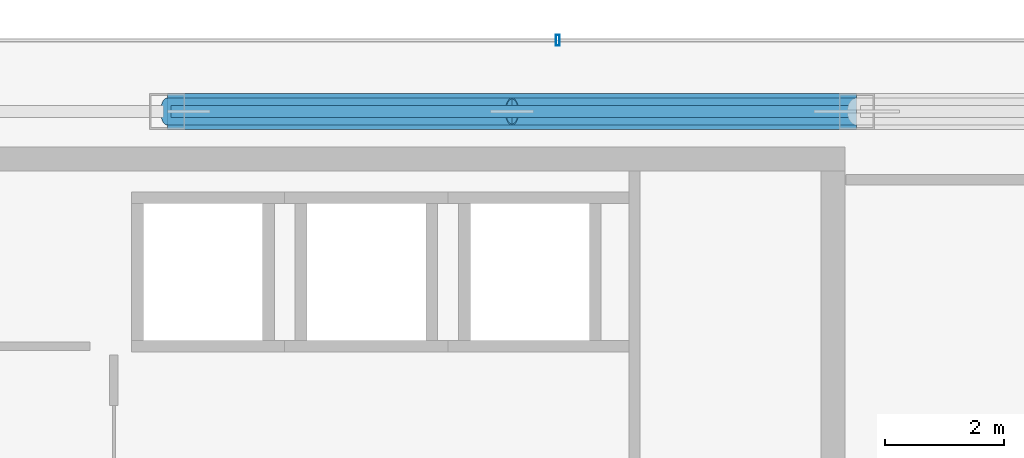
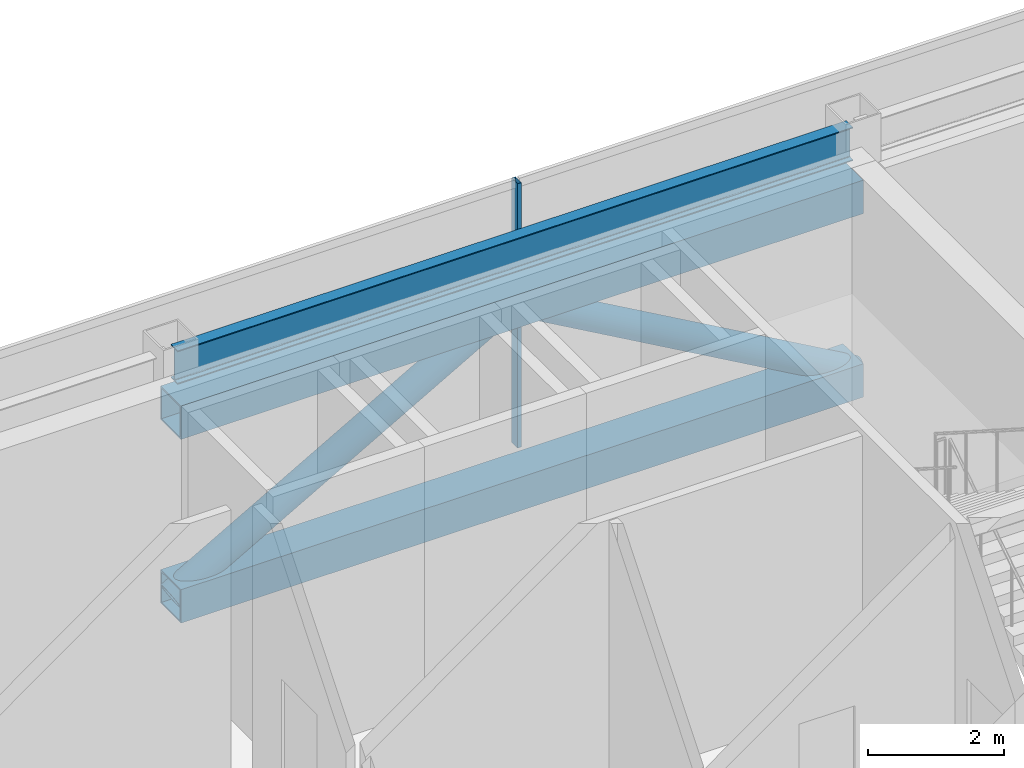
# One storey, part 13 of 20: 5 members, 1 beam, 1 element without a shape of its own.
"""IFC4 building model written with IfcOpenShell, lengths in metres."""

from ifc_helpers import new_model, si_unit, direction, frame, origin, origin_2d, place, context, subcontext, project, spatial, hollow_rectangle, hollow_circle, i_section, extrude, material, material_profile, profile_set, type_object, element, aggregate, save


model = new_model("IFC4")

# Units and contexts
model_context = context("Model", 3, precision=1e-05, world=origin(), true_north=direction((0.0, 1.0)))
body_context = subcontext(model_context, "Body", "Model", "MODEL_VIEW")
ifc_project = project(units=[si_unit("LENGTHUNIT", "METRE"), si_unit("AREAUNIT", "SQUARE_METRE"), si_unit("VOLUMEUNIT", "CUBIC_METRE"), si_unit("PLANEANGLEUNIT", "RADIAN"), si_unit("MASSUNIT", "GRAM", prefix="KILO")], contexts=[model_context])

# Site, building, storey
site_placement = place(None, origin())
site = spatial("IfcSite", under=ifc_project, at=site_placement, CompositionType="ELEMENT")
building_placement = place(site_placement, origin())
building = spatial("IfcBuilding", under=site, at=building_placement, Name="Saevonmaru Cultural Tower", CompositionType="ELEMENT")
storey_placement = place(building_placement, frame((0.0, 0.0, 314.199951171875)))
storey = spatial("IfcBuildingStorey", under=building, at=storey_placement, Name="L75", CompositionType="ELEMENT", Elevation=314.199951171875)

# Beam
ifc_material_1 = material(Name="Steel SM355", Category="steel")
ifc_material_profile_1 = material_profile(ifc_material_1, i_section(OverallWidth=0.199951171875, OverallDepth=0.60009765625, WebThickness=0.010986328125, FlangeThickness=0.01708984375, FilletRadius=0.02197265625, at=origin_2d()), Name="H-600x200x11x17")
ifc_profile_set_1 = profile_set([ifc_material_profile_1], Name="Steel SM355")
beam_type = type_object("IfcBeamType", Name="BM-SP-H600", PredefinedType="SPANDREL", material=ifc_profile_set_1)
beam_placement = place(storey_placement, frame((34.860107421875, 54.800048828125, 4.449951171875), z_axis=(1.0, 0.0, 0.0), x_axis=(0.0, 1.0, 0.0)))
element("IfcBeam", 1, at=beam_placement, inside=storey, type_object=beam_type, Name="L75 North Spine Girder 4", PredefinedType="SPANDREL", context=body_context, shape_type="SweptSolid", body=[
    extrude(i_section(OverallWidth=0.199951171875, OverallDepth=0.60009765625, WebThickness=0.010986328125, FlangeThickness=0.01708984375, FilletRadius=0.02197265625, at=origin_2d()), origin(), (0.0, 0.0, 1.0), 11.47998046875),
])

# Members
ifc_material_2 = material(Name="Steel SM420", Category="steel")
ifc_material_profile_2 = material_profile(ifc_material_2, hollow_circle(Radius=0.228515625, WallThickness=0.02001953125, at=origin_2d()), Name="CHS-457.2x20")
ifc_profile_set_2 = profile_set([ifc_material_profile_2], Name="Steel SM420")
member_type_1 = type_object("IfcMemberType", Name="MB-OBR-CHS457", PredefinedType="BRACE", material=ifc_profile_set_2)
member_1_placement = place(storey_placement, frame((34.800048828125, 54.800048828125, 0.300048828125), z_axis=(0.869162476392, 0.0, 0.494526631873), x_axis=(0.0, 1.0, 0.0)))
element("IfcMember", 2, at=member_1_placement, inside=storey, type_object=member_type_1, Name="L75 Outrigger Truss Diagonal OE1-1", PredefinedType="BRACE", context=body_context, shape_type="SweptSolid", body=[
    extrude(hollow_circle(Radius=0.228515625, WallThickness=0.02001953125, at=origin_2d()), origin(), (0.0, 0.0, 1.0), 6.673095703125),
])
member_2_placement = place(storey_placement, frame((46.39990234375, 54.800048828125, 0.300048828125), z_axis=(-0.869153528733, 0.0, 0.494542357631), x_axis=(0.0, -1.0, 0.0)))
element("IfcMember", 3, at=member_2_placement, inside=storey, type_object=member_type_1, Name="L75 Outrigger Truss Diagonal OE1-2", PredefinedType="BRACE", context=body_context, shape_type="SweptSolid", body=[
    extrude(hollow_circle(Radius=0.228515625, WallThickness=0.02001953125, at=origin_2d()), origin(), (0.0, 0.0, 1.0), 6.6728515625),
])
ifc_material_profile_3 = material_profile(ifc_material_2, hollow_rectangle(XDim=0.60009765625, YDim=0.60009765625, WallThickness=0.028076171875, at=origin_2d()), Name="BOX-600x600x28")
ifc_profile_set_3 = profile_set([ifc_material_profile_3], Name="Steel SM420")
member_type_2 = type_object("IfcMemberType", Name="MB-OCH-BOX600", PredefinedType="CHORD", material=ifc_profile_set_3)
for number, where, z_axis, x_axis, name in (
    (4, (34.800048828125, 54.800048828125, 0.300048828125), (1.0, 0.0, 0.0), (0.0, 1.0, 0.0), "L75 Outrigger Truss Bottom Chord OE1"),
    (5, (34.800048828125, 54.800048828125, 3.60009765625), (1.0, 0.0, 0.0), (0.0, 1.0, 0.0), "L75 Outrigger Truss Top Chord OE1"),
):
    element("IfcMember", number, at=place(storey_placement, frame(where, z_axis=z_axis, x_axis=x_axis)), inside=storey, type_object=member_type_2, Name=name, PredefinedType="CHORD", context=body_context, shape_type="SweptSolid", body=[
        extrude(hollow_rectangle(XDim=0.60009765625, YDim=0.60009765625, WallThickness=0.028076171875, at=origin_2d()), origin(), (0.0, 0.0, 1.0), 11.599853515625),
    ])

# Curtain wall, member
ifc_material_3 = material(Name="Satin Bronze Anodised Aluminium", Category="aluminium")
curtain_wall_type = type_object("IfcCurtainWallType", Name="CW-TYP-B", PredefinedType="NOTDEFINED", material=ifc_material_3)
curtain_wall_placement = place(storey_placement, origin())
curtain_wall = element("IfcCurtainWall", 6, at=curtain_wall_placement, inside=storey, type_object=curtain_wall_type, Name="L75 Wind-Floor Acoustic Louvre Screen E10", PredefinedType="NOTDEFINED")
ifc_material_profile_4 = material_profile(ifc_material_3, hollow_rectangle(XDim=0.06494140625, YDim=0.179931640625, WallThickness=0.00390625, at=origin_2d()), Name="ALU-MULL-180x65x4")
ifc_profile_set_4 = profile_set([ifc_material_profile_4], Name="Satin Bronze Anodised Aluminium")
member_type_3 = type_object("IfcMemberType", Name="ML-CW-180x65", PredefinedType="MULLION", material=ifc_profile_set_4)
member_3_placement = place(storey_placement, frame((41.3701171875, 56.0, 0.0), z_axis=(0.0, 0.0, 1.0), x_axis=(-1.0, 0.0, 0.0)))
member_3 = element("IfcMember", 7, at=member_3_placement, type_object=member_type_3, Name="CW-TW-L75-E10 mullion 2", PredefinedType="MULLION", context=body_context, shape_type="SweptSolid", body=[
    extrude(hollow_rectangle(XDim=0.06494140625, YDim=0.179931640625, WallThickness=0.00390625, at=origin_2d()), origin(), (0.0, 0.0, 1.0), 4.75),
])
aggregate(curtain_wall, [member_3])

save(model, "model.ifc")
